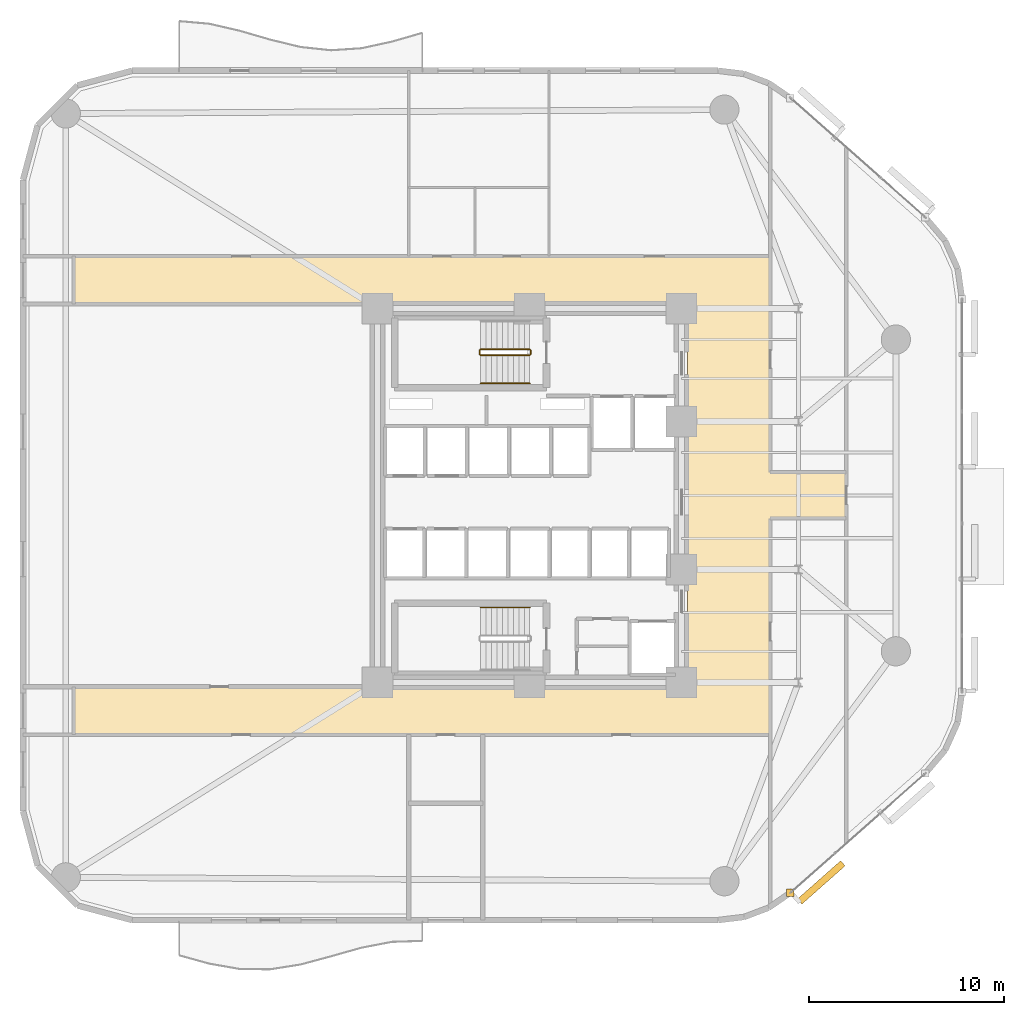
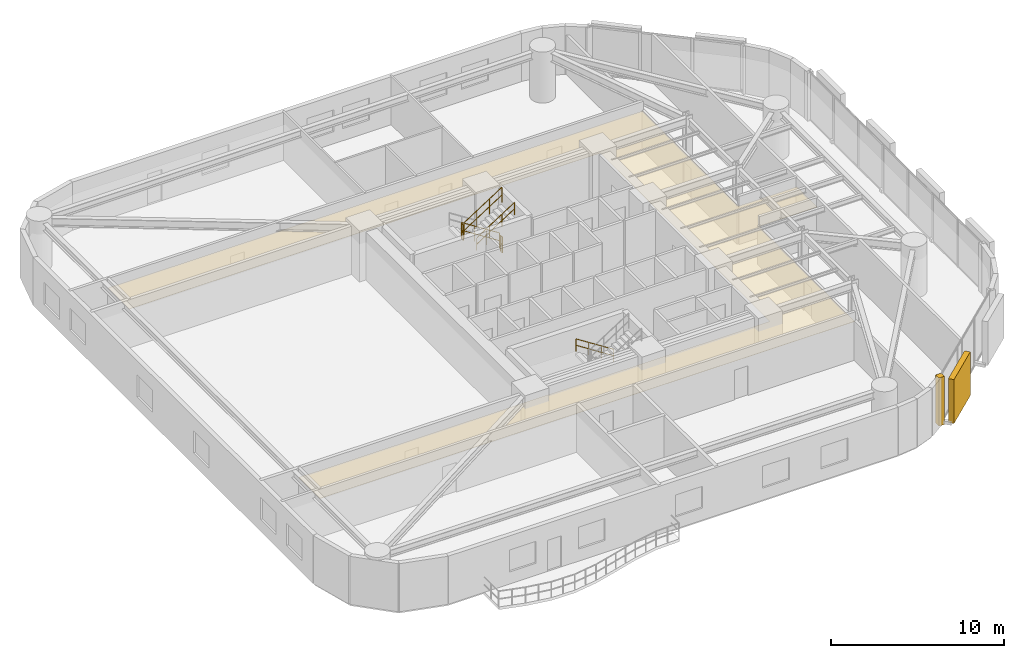
# One storey, part 14 of 15: 6 railings, 2 coverings, 1 shading device.
"""IFC4 building model written with IfcOpenShell, lengths in metres."""

from ifc_helpers import new_model, si_unit, direction, frame, origin, origin_2d, place, context, subcontext, project, spatial, polyline, rectangle, circle, outline, extrude, material, layer, layer_set, type_object, element, save


model = new_model("IFC4")

# Units and contexts
model_context = context("Model", 3, precision=1e-05, world=origin(), true_north=direction((0.0, 1.0)))
body_context = subcontext(model_context, "Body", "Model", "MODEL_VIEW")
ifc_project = project(units=[si_unit("LENGTHUNIT", "METRE"), si_unit("AREAUNIT", "SQUARE_METRE"), si_unit("VOLUMEUNIT", "CUBIC_METRE"), si_unit("PLANEANGLEUNIT", "RADIAN"), si_unit("MASSUNIT", "GRAM", prefix="KILO")], contexts=[model_context])

# Site, building, storey
site_placement = place(None, origin())
site = spatial("IfcSite", under=ifc_project, at=site_placement, CompositionType="ELEMENT")
building_placement = place(site_placement, origin())
building = spatial("IfcBuilding", under=site, at=building_placement, Name="An Khanh Terracotta Commons", CompositionType="ELEMENT")
storey_placement = place(building_placement, frame((0.0, 0.0, 61.199951171875)))
storey = spatial("IfcBuildingStorey", under=building, at=storey_placement, Name="L16", CompositionType="ELEMENT", Elevation=61.199951171875)

# Coverings
ifc_material_1 = material(Name="Perforated Mineral-Fibre Acoustic Tile")
ifc_layer_1 = layer(ifc_material_1, 0.02001953125, Name="Perforated Mineral-Fibre Acoustic Tile")
ifc_layer_set_1 = layer_set([ifc_layer_1], Name="Perforated Mineral-Fibre Acoustic Tile")
covering_type_1 = type_object("IfcCoveringType", Name="CEIL-ACOUSTIC-18", PredefinedType="CEILING", material=ifc_layer_set_1)
covering_1_placement = place(storey_placement, frame((0.0, 0.0, 2.650146484375)))
element("IfcCovering", 1, at=covering_1_placement, inside=storey, type_object=covering_type_1, Name="L16 Corridor Ceiling", PredefinedType="CEILING", context=body_context, shape_type="SweptSolid", body=[
    extrude(outline(polyline([(6.0, 11.719970703125), (6.0, 14.179931640625), (37.5, 14.179931640625), (37.5, 33.820068359375), (6.0, 33.820068359375), (6.0, 36.280029296875), (37.5, 36.280029296875), (41.75, 36.280029296875), (41.75, 33.820068359375), (41.75, 25.179931640625), (45.64990234375, 25.179931640625), (45.64990234375, 22.820068359375), (41.75, 22.820068359375), (41.75, 14.179931640625), (41.75, 11.719970703125), (37.5, 11.719970703125), (6.0, 11.719970703125)])), origin(), (0.0, 0.0, 1.0), 0.02001953125),
])
ifc_material_2 = material(Name="Fired Terracotta Rainscreen Cladding", Category="masonry")
ifc_layer_2 = layer(ifc_material_2, 0.080078125, Name="Fired Terracotta Rainscreen Cladding")
ifc_layer_set_2 = layer_set([ifc_layer_2], Name="Fired Terracotta Rainscreen Cladding")
covering_type_2 = type_object("IfcCoveringType", Name="COV-JAMB-TERRA", PredefinedType="CLADDING", material=ifc_layer_set_2)
covering_2_placement = place(storey_placement, frame((42.7890625, 3.60595703125, 0.0), z_axis=(0.0, 0.0, 1.0), x_axis=(1.0, 0.0, 0.0)))
element("IfcCovering", 2, at=covering_2_placement, inside=storey, type_object=covering_type_2, Name="L16 CW-02 Curtain-Wall Jamb Closure JA", PredefinedType="CLADDING", context=body_context, shape_type="SweptSolid", body=[
    extrude(rectangle(XDim=0.3798828125, YDim=0.3798828125, at=origin_2d()), origin(), (0.0, 0.0, 1.0), 3.39990234375),
])

# Railings
ifc_material_3 = material(Name="Brushed Stainless Steel 316", Category="steel")
railing_type_1 = type_object("IfcRailingType", Name="RAIL-HANDRAIL-900", PredefinedType="HANDRAIL", material=ifc_material_3)
railing_1_placement = place(storey_placement, frame((26.889892578125, 29.75, 1.97998046875)))
element("IfcRailing", 3, at=railing_1_placement, inside=storey, type_object=railing_type_1, Name="L16 ST-01 stair handrail 2", PredefinedType="HANDRAIL", context=body_context, shape_type="SweptSolid", body=[
    extrude(circle(Radius=0.02392578125, at=origin_2d()), frame((0.0, 0.0, 0.8759765625), z_axis=(0.841162588446, 0.0, 0.540782303519), x_axis=(0.0, 1.0, 0.0)), (0.0, 0.0, 1.0), 2.995849609375),
    extrude(circle(Radius=0.02392578125, at=origin_2d()), frame((0.0, 0.0, 0.42578125), z_axis=(0.841162588446, 0.0, 0.540782303519), x_axis=(0.0, 1.0, 0.0)), (0.0, 0.0, 1.0), 2.995849609375),
    extrude(circle(Radius=0.02099609375, at=origin_2d()), origin(), (0.0, 0.0, 1.0), 0.851806640625),
    extrude(circle(Radius=0.02099609375, at=origin_2d()), frame((0.840087890625, 0.0, 0.5400390625)), (0.0, 0.0, 1.0), 0.851806640625),
    extrude(circle(Radius=0.02099609375, at=origin_2d()), frame((1.679931640625, 0.0, 1.080078125)), (0.0, 0.0, 1.0), 0.851806640625),
    extrude(circle(Radius=0.02099609375, at=origin_2d()), frame((2.52001953125, 0.0, 1.6201171875)), (0.0, 0.0, 1.0), 0.851806640625),
])
railing_2_placement = place(storey_placement, frame((29.409912109375, 18.25, 0.179931640625)))
element("IfcRailing", 4, at=railing_2_placement, inside=storey, type_object=railing_type_1, Name="L16 ST-02 stair handrail 1", PredefinedType="HANDRAIL", context=body_context, shape_type="SweptSolid", body=[
    extrude(circle(Radius=0.02392578125, at=origin_2d()), frame((0.0, 0.0, 0.8759765625), z_axis=(-0.841162588446, 0.0, 0.540782303519), x_axis=(0.0, -1.0, 0.0)), (0.0, 0.0, 1.0), 2.995849609375),
    extrude(circle(Radius=0.02392578125, at=origin_2d()), frame((0.0, 0.0, 0.42578125), z_axis=(-0.841162588446, 0.0, 0.540782303519), x_axis=(0.0, -1.0, 0.0)), (0.0, 0.0, 1.0), 2.995849609375),
    extrude(circle(Radius=0.02099609375, at=origin_2d()), origin(), (0.0, 0.0, 1.0), 0.851806640625),
    extrude(circle(Radius=0.02099609375, at=origin_2d()), frame((-0.840087890625, 0.0, 0.5400390625)), (0.0, 0.0, 1.0), 0.851806640625),
    extrude(circle(Radius=0.02099609375, at=origin_2d()), frame((-1.679931640625, 0.0, 1.080078125)), (0.0, 0.0, 1.0), 0.851806640625),
    extrude(circle(Radius=0.02099609375, at=origin_2d()), frame((-2.52001953125, 0.0, 1.6201171875)), (0.0, 0.0, 1.0), 0.851806640625),
])
ifc_material_4 = material(Name="Powder-Coated Steel S355J2", Category="steel")
railing_type_2 = type_object("IfcRailingType", Name="RAIL-STAIR-GUARD-1100", PredefinedType="BALUSTRADE", material=ifc_material_4)
railing_3_placement = place(storey_placement, frame((29.409912109375, 31.5, 0.179931640625)))
element("IfcRailing", 5, at=railing_3_placement, inside=storey, type_object=railing_type_2, Name="L16 ST-01 stair guard 1", PredefinedType="BALUSTRADE", context=body_context, shape_type="SweptSolid", body=[
    extrude(circle(Radius=0.02392578125, at=origin_2d()), frame((0.0, 0.0, 1.076171875), z_axis=(-0.841162588446, 0.0, 0.540782303519), x_axis=(0.0, -1.0, 0.0)), (0.0, 0.0, 1.0), 2.995849609375),
    extrude(circle(Radius=0.02392578125, at=origin_2d()), frame((0.0, 0.0, 0.52587890625), z_axis=(-0.841162588446, 0.0, 0.540782303519), x_axis=(0.0, -1.0, 0.0)), (0.0, 0.0, 1.0), 2.995849609375),
    extrude(circle(Radius=0.02099609375, at=origin_2d()), origin(), (0.0, 0.0, 1.0), 1.052001953125),
    extrude(circle(Radius=0.02099609375, at=origin_2d()), frame((-0.840087890625, 0.0, 0.5400390625)), (0.0, 0.0, 1.0), 1.052001953125),
    extrude(circle(Radius=0.02099609375, at=origin_2d()), frame((-1.679931640625, 0.0, 1.080078125)), (0.0, 0.0, 1.0), 1.052001953125),
    extrude(circle(Radius=0.02099609375, at=origin_2d()), frame((-2.52001953125, 0.0, 1.6201171875)), (0.0, 0.0, 1.0), 1.052001953125),
])
railing_4_placement = place(storey_placement, frame((26.840087890625, 31.449951171875, 1.800048828125)))
element("IfcRailing", 6, at=railing_4_placement, inside=storey, type_object=railing_type_2, Name="L16 ST-01 stair guard 2", PredefinedType="BALUSTRADE", context=body_context, shape_type="SweptSolid", body=[
    extrude(circle(Radius=0.02392578125, at=origin_2d()), frame((0.0, 0.0, 1.076171875), z_axis=(0.0, -1.0, 0.0), x_axis=(1.0, 0.0, 0.0)), (0.0, 0.0, 1.0), 0.199951171875),
    extrude(circle(Radius=0.02392578125, at=origin_2d()), frame((0.0, 0.0, 0.52587890625), z_axis=(0.0, -1.0, 0.0), x_axis=(1.0, 0.0, 0.0)), (0.0, 0.0, 1.0), 0.199951171875),
    extrude(circle(Radius=0.02099609375, at=origin_2d()), origin(), (0.0, 0.0, 1.0), 1.052001953125),
    extrude(circle(Radius=0.02099609375, at=origin_2d()), frame((0.0, -0.199951171875, 0.0)), (0.0, 0.0, 1.0), 1.052001953125),
])
railing_5_placement = place(storey_placement, frame((26.889892578125, 31.199951171875, 1.97998046875)))
element("IfcRailing", 7, at=railing_5_placement, inside=storey, type_object=railing_type_2, Name="L16 ST-01 stair guard 3", PredefinedType="BALUSTRADE", context=body_context, shape_type="SweptSolid", body=[
    extrude(circle(Radius=0.02392578125, at=origin_2d()), frame((0.0, 0.0, 1.076171875), z_axis=(0.841162588446, 0.0, 0.540782303519), x_axis=(0.0, 1.0, 0.0)), (0.0, 0.0, 1.0), 2.995849609375),
    extrude(circle(Radius=0.02392578125, at=origin_2d()), frame((0.0, 0.0, 0.52587890625), z_axis=(0.841162588446, 0.0, 0.540782303519), x_axis=(0.0, 1.0, 0.0)), (0.0, 0.0, 1.0), 2.995849609375),
    extrude(circle(Radius=0.02099609375, at=origin_2d()), origin(), (0.0, 0.0, 1.0), 1.052001953125),
    extrude(circle(Radius=0.02099609375, at=origin_2d()), frame((0.840087890625, 0.0, 0.5400390625)), (0.0, 0.0, 1.0), 1.052001953125),
    extrude(circle(Radius=0.02099609375, at=origin_2d()), frame((1.679931640625, 0.0, 1.080078125)), (0.0, 0.0, 1.0), 1.052001953125),
    extrude(circle(Radius=0.02099609375, at=origin_2d()), frame((2.52001953125, 0.0, 1.6201171875)), (0.0, 0.0, 1.0), 1.052001953125),
])
railing_6_placement = place(storey_placement, frame((29.4599609375, 31.449951171875, 0.0)))
element("IfcRailing", 8, at=railing_6_placement, inside=storey, type_object=railing_type_2, Name="L16 ST-01 stair guard 4", PredefinedType="BALUSTRADE", context=body_context, shape_type="SweptSolid", body=[
    extrude(circle(Radius=0.02392578125, at=origin_2d()), frame((0.0, 0.0, 1.076171875), z_axis=(0.0, -1.0, 0.0), x_axis=(1.0, 0.0, 0.0)), (0.0, 0.0, 1.0), 0.199951171875),
    extrude(circle(Radius=0.02392578125, at=origin_2d()), frame((0.0, 0.0, 0.52587890625), z_axis=(0.0, -1.0, 0.0), x_axis=(1.0, 0.0, 0.0)), (0.0, 0.0, 1.0), 0.199951171875),
    extrude(circle(Radius=0.02099609375, at=origin_2d()), origin(), (0.0, 0.0, 1.0), 1.052001953125),
    extrude(circle(Radius=0.02099609375, at=origin_2d()), frame((0.0, -0.199951171875, 0.0)), (0.0, 0.0, 1.0), 1.052001953125),
])

# Shading device
ifc_material_5 = material(Name="Extruded Fired Terracotta", Category="masonry")
shading_device_type = type_object("IfcShadingDeviceType", Name="Terracotta Baguette Screen Assembly", PredefinedType="USERDEFINED", material=ifc_material_5)
shading_device_placement = place(storey_placement, frame((44.373046875, 4.138916015625, 0.14990234375), z_axis=(0.0, 0.0, 1.0), x_axis=(0.749019284633, 0.662548195415, 0.0)))
element("IfcShadingDevice", 9, at=shading_device_placement, inside=storey, type_object=shading_device_type, Name="L16 Terracotta Baguette Screen 1", ObjectType="BAGUETTE", PredefinedType="USERDEFINED", context=body_context, shape_type="SweptSolid", body=[
    extrude(rectangle(XDim=2.9599609375, YDim=0.35009765625, at=origin_2d()), origin(), (0.0, 0.0, 1.0), 3.10009765625),
])

save(model, "model.ifc")
